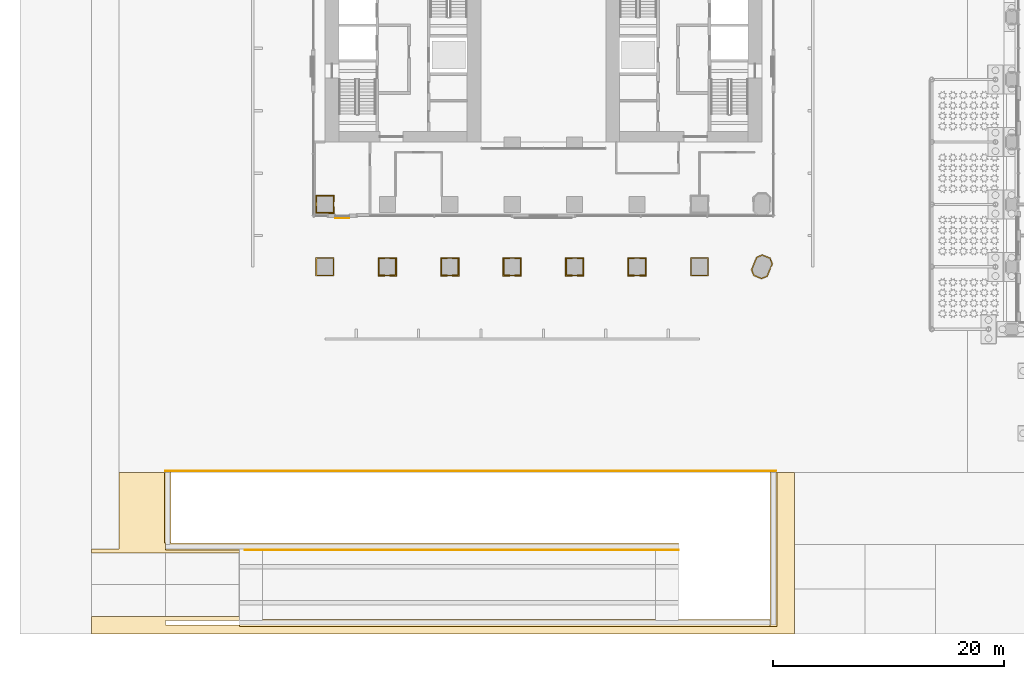
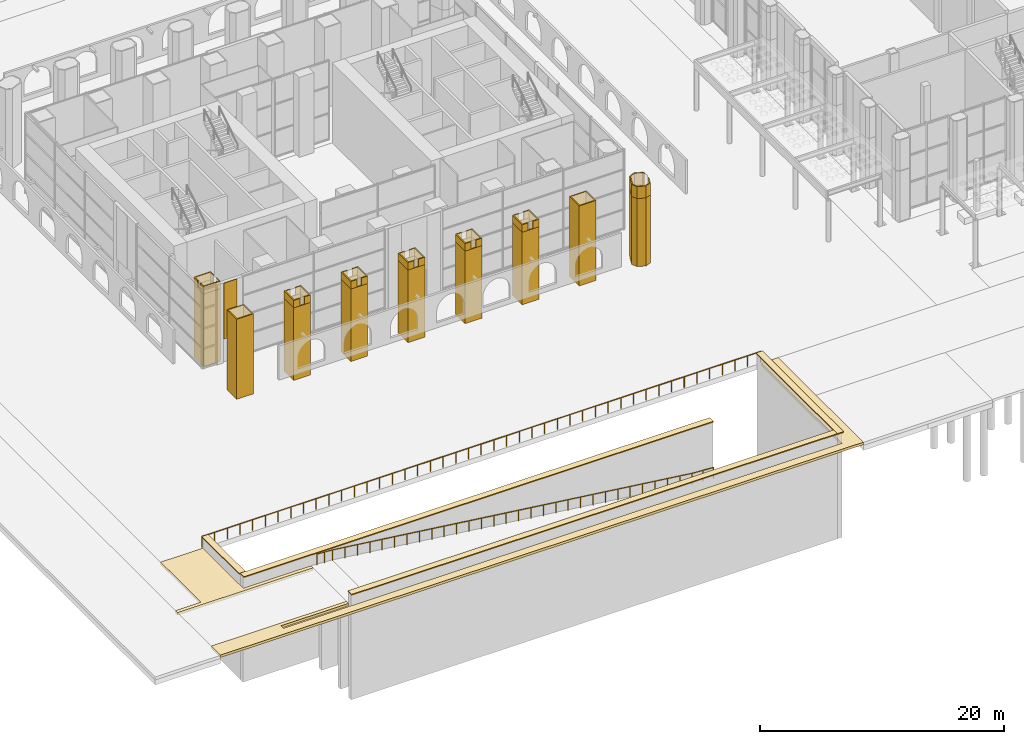
# One storey, part 41 of 54: 29 coverings, 2 railings.
"""IFC4 building model written with IfcOpenShell, lengths in metres."""

from ifc_helpers import new_model, si_unit, direction, frame, frame_2d, origin, origin_2d, place, context, subcontext, project, spatial, polyline, rectangle, circle, outline, extrude, material, layer, layer_set, type_object, element, save


model = new_model("IFC4")

# Units and contexts
model_context = context("Model", 3, precision=1e-05, world=origin(), true_north=direction((0.0, 1.0)))
body_context = subcontext(model_context, "Body", "Model", "MODEL_VIEW")
ifc_project = project(units=[si_unit("LENGTHUNIT", "METRE"), si_unit("AREAUNIT", "SQUARE_METRE"), si_unit("VOLUMEUNIT", "CUBIC_METRE"), si_unit("PLANEANGLEUNIT", "RADIAN"), si_unit("MASSUNIT", "GRAM", prefix="KILO")], contexts=[model_context])

# Site, building, storey
site_placement = place(None, origin())
site = spatial("IfcSite", under=ifc_project, at=site_placement, CompositionType="ELEMENT")
building_placement = place(site_placement, origin())
building = spatial("IfcBuilding", under=site, at=building_placement, Name="Tabaq Tower and Sports Hall", CompositionType="ELEMENT")
storey_placement = place(building_placement, origin())
storey = spatial("IfcBuildingStorey", under=building, at=storey_placement, Name="L00", CompositionType="ELEMENT", Elevation=0.0)

# Coverings
ifc_material_1 = material(Name="Precast concrete C60/75", Category="concrete")
ifc_layer_1 = layer(ifc_material_1, 0.10009765625)
ifc_layer_set_1 = layer_set([ifc_layer_1], Name="Column cladding 100")
covering_type_1 = type_object("IfcCoveringType", Name="Column cladding 100", PredefinedType="CLADDING", material=ifc_layer_set_1)
covering_1_placement = place(storey_placement, origin())
element("IfcCovering", 1, at=covering_1_placement, inside=storey, type_object=covering_type_1, Name="Column cladding L00 CC-2B-G", PredefinedType="CLADDING", context=body_context, shape_type="SweptSolid", body=[
    extrude(outline(polyline([(4.600341796875, 6.19970703125), (6.19970703125, 6.19970703125), (6.19970703125, 4.600341796875), (4.600341796875, 4.600341796875), (4.600341796875, 6.19970703125)]), holes=[polyline([(6.100341796875, 4.69970703125), (6.100341796875, 6.100341796875), (4.69970703125, 6.100341796875), (4.69970703125, 4.69970703125), (6.100341796875, 4.69970703125)])]), origin(), (0.0, 0.0, 1.0), 8.0),
])
covering_2_placement = place(storey_placement, origin())
element("IfcCovering", 2, at=covering_2_placement, inside=storey, type_object=covering_type_1, Name="Column cladding L00 CC-2C-G", PredefinedType="CLADDING", context=body_context, shape_type="SweptSolid", body=[
    extrude(outline(polyline([(4.600341796875, 11.599609375), (6.19970703125, 11.599609375), (6.19970703125, 10.000244140625), (4.600341796875, 10.000244140625), (4.600341796875, 11.599609375)]), holes=[polyline([(6.100341796875, 10.099609375), (6.100341796875, 11.500244140625), (4.69970703125, 11.500244140625), (4.69970703125, 10.099609375), (6.100341796875, 10.099609375)])]), origin(), (0.0, 0.0, 1.0), 7.25),
])
covering_3_placement = place(storey_placement, frame((0.0, 0.0, 7.25)))
element("IfcCovering", 3, at=covering_3_placement, inside=storey, type_object=covering_type_1, Name="Column cladding L00 CC-2C-G head", PredefinedType="CLADDING", context=body_context, shape_type="SweptSolid", body=[
    extrude(outline(polyline([(6.19970703125, 10.000244140625), (4.600341796875, 10.000244140625), (4.600341796875, 10.57470703125), (4.69970703125, 10.57470703125), (4.69970703125, 10.099609375), (6.100341796875, 10.099609375), (6.100341796875, 10.57470703125), (6.19970703125, 10.57470703125), (6.19970703125, 10.000244140625)])), origin(), (0.0, 0.0, 1.0), 0.75),
])
covering_4_placement = place(storey_placement, frame((0.0, 0.0, 7.25)))
element("IfcCovering", 4, at=covering_4_placement, inside=storey, type_object=covering_type_1, Name="Column cladding L00 CC-2C-G head 2", PredefinedType="CLADDING", context=body_context, shape_type="SweptSolid", body=[
    extrude(outline(polyline([(6.19970703125, 11.599609375), (6.19970703125, 11.025390625), (6.100341796875, 11.025390625), (6.100341796875, 11.500244140625), (4.69970703125, 11.500244140625), (4.69970703125, 11.025390625), (4.600341796875, 11.025390625), (4.600341796875, 11.599609375), (6.19970703125, 11.599609375)])), origin(), (0.0, 0.0, 1.0), 0.75),
])
covering_5_placement = place(storey_placement, origin())
element("IfcCovering", 5, at=covering_5_placement, inside=storey, type_object=covering_type_1, Name="Column cladding L00 CC-3B-G", PredefinedType="CLADDING", context=body_context, shape_type="SweptSolid", body=[
    extrude(outline(polyline([(10.000244140625, 6.19970703125), (11.599609375, 6.19970703125), (11.599609375, 4.600341796875), (10.000244140625, 4.600341796875), (10.000244140625, 6.19970703125)]), holes=[polyline([(11.500244140625, 4.69970703125), (11.500244140625, 6.100341796875), (10.099609375, 6.100341796875), (10.099609375, 4.69970703125), (11.500244140625, 4.69970703125)])]), origin(), (0.0, 0.0, 1.0), 7.25),
])
covering_6_placement = place(storey_placement, frame((0.0, 0.0, 7.25)))
element("IfcCovering", 6, at=covering_6_placement, inside=storey, type_object=covering_type_1, Name="Column cladding L00 CC-3B-G head", PredefinedType="CLADDING", context=body_context, shape_type="SweptSolid", body=[
    extrude(outline(polyline([(11.599609375, 6.19970703125), (11.599609375, 4.600341796875), (11.025390625, 4.600341796875), (11.025390625, 4.69970703125), (11.500244140625, 4.69970703125), (11.500244140625, 6.100341796875), (11.025390625, 6.100341796875), (11.025390625, 6.19970703125), (11.599609375, 6.19970703125)])), origin(), (0.0, 0.0, 1.0), 0.75),
])
covering_7_placement = place(storey_placement, frame((0.0, 0.0, 7.25)))
element("IfcCovering", 7, at=covering_7_placement, inside=storey, type_object=covering_type_1, Name="Column cladding L00 CC-3B-G head 2", PredefinedType="CLADDING", context=body_context, shape_type="SweptSolid", body=[
    extrude(outline(polyline([(10.57470703125, 6.19970703125), (10.57470703125, 6.100341796875), (10.099609375, 6.100341796875), (10.099609375, 4.69970703125), (10.57470703125, 4.69970703125), (10.57470703125, 4.600341796875), (10.000244140625, 4.600341796875), (10.000244140625, 6.19970703125), (10.57470703125, 6.19970703125)])), origin(), (0.0, 0.0, 1.0), 0.75),
])
covering_8_placement = place(storey_placement, origin())
element("IfcCovering", 8, at=covering_8_placement, inside=storey, type_object=covering_type_1, Name="Column cladding L00 CC-4B-G", PredefinedType="CLADDING", context=body_context, shape_type="SweptSolid", body=[
    extrude(outline(polyline([(15.400390625, 6.19970703125), (16.999755859375, 6.19970703125), (16.999755859375, 4.600341796875), (15.400390625, 4.600341796875), (15.400390625, 6.19970703125)]), holes=[polyline([(16.900390625, 4.69970703125), (16.900390625, 6.100341796875), (15.499755859375, 6.100341796875), (15.499755859375, 4.69970703125), (16.900390625, 4.69970703125)])]), origin(), (0.0, 0.0, 1.0), 7.25),
])
covering_9_placement = place(storey_placement, frame((0.0, 0.0, 7.25)))
element("IfcCovering", 9, at=covering_9_placement, inside=storey, type_object=covering_type_1, Name="Column cladding L00 CC-4B-G head", PredefinedType="CLADDING", context=body_context, shape_type="SweptSolid", body=[
    extrude(outline(polyline([(16.999755859375, 6.19970703125), (16.999755859375, 4.600341796875), (16.42529296875, 4.600341796875), (16.42529296875, 4.69970703125), (16.900390625, 4.69970703125), (16.900390625, 6.100341796875), (16.42529296875, 6.100341796875), (16.42529296875, 6.19970703125), (16.999755859375, 6.19970703125)])), origin(), (0.0, 0.0, 1.0), 0.75),
])
covering_10_placement = place(storey_placement, frame((0.0, 0.0, 7.25)))
element("IfcCovering", 10, at=covering_10_placement, inside=storey, type_object=covering_type_1, Name="Column cladding L00 CC-4B-G head 2", PredefinedType="CLADDING", context=body_context, shape_type="SweptSolid", body=[
    extrude(outline(polyline([(15.974609375, 6.19970703125), (15.974609375, 6.100341796875), (15.499755859375, 6.100341796875), (15.499755859375, 4.69970703125), (15.974609375, 4.69970703125), (15.974609375, 4.600341796875), (15.400390625, 4.600341796875), (15.400390625, 6.19970703125), (15.974609375, 6.19970703125)])), origin(), (0.0, 0.0, 1.0), 0.75),
])
covering_11_placement = place(storey_placement, origin())
element("IfcCovering", 11, at=covering_11_placement, inside=storey, type_object=covering_type_1, Name="Column cladding L00 CC-5B-G", PredefinedType="CLADDING", context=body_context, shape_type="SweptSolid", body=[
    extrude(outline(polyline([(20.80029296875, 6.19970703125), (22.399658203125, 6.19970703125), (22.399658203125, 4.600341796875), (20.80029296875, 4.600341796875), (20.80029296875, 6.19970703125)]), holes=[polyline([(22.30029296875, 4.69970703125), (22.30029296875, 6.100341796875), (20.899658203125, 6.100341796875), (20.899658203125, 4.69970703125), (22.30029296875, 4.69970703125)])]), origin(), (0.0, 0.0, 1.0), 7.25),
])
covering_12_placement = place(storey_placement, frame((0.0, 0.0, 7.25)))
element("IfcCovering", 12, at=covering_12_placement, inside=storey, type_object=covering_type_1, Name="Column cladding L00 CC-5B-G head", PredefinedType="CLADDING", context=body_context, shape_type="SweptSolid", body=[
    extrude(outline(polyline([(22.399658203125, 6.19970703125), (22.399658203125, 4.600341796875), (21.8251953125, 4.600341796875), (21.8251953125, 4.69970703125), (22.30029296875, 4.69970703125), (22.30029296875, 6.100341796875), (21.8251953125, 6.100341796875), (21.8251953125, 6.19970703125), (22.399658203125, 6.19970703125)])), origin(), (0.0, 0.0, 1.0), 0.75),
])
covering_13_placement = place(storey_placement, frame((0.0, 0.0, 7.25)))
element("IfcCovering", 13, at=covering_13_placement, inside=storey, type_object=covering_type_1, Name="Column cladding L00 CC-5B-G head 2", PredefinedType="CLADDING", context=body_context, shape_type="SweptSolid", body=[
    extrude(outline(polyline([(21.374755859375, 6.19970703125), (21.374755859375, 6.100341796875), (20.899658203125, 6.100341796875), (20.899658203125, 4.69970703125), (21.374755859375, 4.69970703125), (21.374755859375, 4.600341796875), (20.80029296875, 4.600341796875), (20.80029296875, 6.19970703125), (21.374755859375, 6.19970703125)])), origin(), (0.0, 0.0, 1.0), 0.75),
])
covering_14_placement = place(storey_placement, origin())
element("IfcCovering", 14, at=covering_14_placement, inside=storey, type_object=covering_type_1, Name="Column cladding L00 CC-6B-G", PredefinedType="CLADDING", context=body_context, shape_type="SweptSolid", body=[
    extrude(outline(polyline([(26.2001953125, 6.19970703125), (27.7998046875, 6.19970703125), (27.7998046875, 4.600341796875), (26.2001953125, 4.600341796875), (26.2001953125, 6.19970703125)]), holes=[polyline([(27.7001953125, 4.69970703125), (27.7001953125, 6.100341796875), (26.2998046875, 6.100341796875), (26.2998046875, 4.69970703125), (27.7001953125, 4.69970703125)])]), origin(), (0.0, 0.0, 1.0), 7.25),
])
covering_15_placement = place(storey_placement, frame((0.0, 0.0, 7.25)))
element("IfcCovering", 15, at=covering_15_placement, inside=storey, type_object=covering_type_1, Name="Column cladding L00 CC-6B-G head", PredefinedType="CLADDING", context=body_context, shape_type="SweptSolid", body=[
    extrude(outline(polyline([(27.7998046875, 6.19970703125), (27.7998046875, 4.600341796875), (27.225341796875, 4.600341796875), (27.225341796875, 4.69970703125), (27.7001953125, 4.69970703125), (27.7001953125, 6.100341796875), (27.225341796875, 6.100341796875), (27.225341796875, 6.19970703125), (27.7998046875, 6.19970703125)])), origin(), (0.0, 0.0, 1.0), 0.75),
])
covering_16_placement = place(storey_placement, frame((0.0, 0.0, 7.25)))
element("IfcCovering", 16, at=covering_16_placement, inside=storey, type_object=covering_type_1, Name="Column cladding L00 CC-6B-G head 2", PredefinedType="CLADDING", context=body_context, shape_type="SweptSolid", body=[
    extrude(outline(polyline([(26.774658203125, 6.19970703125), (26.774658203125, 6.100341796875), (26.2998046875, 6.100341796875), (26.2998046875, 4.69970703125), (26.774658203125, 4.69970703125), (26.774658203125, 4.600341796875), (26.2001953125, 4.600341796875), (26.2001953125, 6.19970703125), (26.774658203125, 6.19970703125)])), origin(), (0.0, 0.0, 1.0), 0.75),
])
covering_17_placement = place(storey_placement, origin())
element("IfcCovering", 17, at=covering_17_placement, inside=storey, type_object=covering_type_1, Name="Column cladding L00 CC-7B-G", PredefinedType="CLADDING", context=body_context, shape_type="SweptSolid", body=[
    extrude(outline(polyline([(31.600341796875, 6.19970703125), (33.19970703125, 6.19970703125), (33.19970703125, 4.600341796875), (31.600341796875, 4.600341796875), (31.600341796875, 6.19970703125)]), holes=[polyline([(33.100341796875, 4.69970703125), (33.100341796875, 6.100341796875), (31.69970703125, 6.100341796875), (31.69970703125, 4.69970703125), (33.100341796875, 4.69970703125)])]), origin(), (0.0, 0.0, 1.0), 7.25),
])
covering_18_placement = place(storey_placement, frame((0.0, 0.0, 7.25)))
element("IfcCovering", 18, at=covering_18_placement, inside=storey, type_object=covering_type_1, Name="Column cladding L00 CC-7B-G head", PredefinedType="CLADDING", context=body_context, shape_type="SweptSolid", body=[
    extrude(outline(polyline([(33.19970703125, 6.19970703125), (33.19970703125, 4.600341796875), (32.625244140625, 4.600341796875), (32.625244140625, 4.69970703125), (33.100341796875, 4.69970703125), (33.100341796875, 6.100341796875), (32.625244140625, 6.100341796875), (32.625244140625, 6.19970703125), (33.19970703125, 6.19970703125)])), origin(), (0.0, 0.0, 1.0), 0.75),
])
covering_19_placement = place(storey_placement, frame((0.0, 0.0, 7.25)))
element("IfcCovering", 19, at=covering_19_placement, inside=storey, type_object=covering_type_1, Name="Column cladding L00 CC-7B-G head 2", PredefinedType="CLADDING", context=body_context, shape_type="SweptSolid", body=[
    extrude(outline(polyline([(32.1748046875, 6.19970703125), (32.1748046875, 6.100341796875), (31.69970703125, 6.100341796875), (31.69970703125, 4.69970703125), (32.1748046875, 4.69970703125), (32.1748046875, 4.600341796875), (31.600341796875, 4.600341796875), (31.600341796875, 6.19970703125), (32.1748046875, 6.19970703125)])), origin(), (0.0, 0.0, 1.0), 0.75),
])
covering_20_placement = place(storey_placement, origin())
element("IfcCovering", 20, at=covering_20_placement, inside=storey, type_object=covering_type_1, Name="Column cladding L00 CC-8B-G", PredefinedType="CLADDING", context=body_context, shape_type="SweptSolid", body=[
    extrude(outline(polyline([(37.000244140625, 6.19970703125), (38.599609375, 6.19970703125), (38.599609375, 4.600341796875), (37.000244140625, 4.600341796875), (37.000244140625, 6.19970703125)]), holes=[polyline([(38.500244140625, 4.69970703125), (38.500244140625, 6.100341796875), (37.099609375, 6.100341796875), (37.099609375, 4.69970703125), (38.500244140625, 4.69970703125)])]), origin(), (0.0, 0.0, 1.0), 8.0),
])
covering_21_placement = place(storey_placement, origin())
element("IfcCovering", 21, at=covering_21_placement, inside=storey, type_object=covering_type_1, Name="Column cladding L00 PC-9B-G", PredefinedType="CLADDING", context=body_context, shape_type="SweptSolid", body=[
    extrude(outline(polyline([(42.467529296875, 4.621337890625), (42.253173828125, 5.138671875), (42.71533203125, 6.25439453125), (43.232666015625, 6.468505859375), (43.9326171875, 6.1787109375), (44.146728515625, 5.661376953125), (44.03857421875, 5.400390625), (43.940185546875, 5.400390625), (43.940185546875, 5.249755859375), (43.975830078125, 5.24853515625), (43.6845703125, 4.545654296875), (43.16748046875, 4.33154296875), (42.467529296875, 4.621337890625)]), holes=[polyline([(43.8564453125, 6.1025390625), (43.232666015625, 6.361083984375), (42.79150390625, 6.17822265625), (42.36083984375, 5.138671875), (42.54345703125, 4.697509765625), (43.16748046875, 4.43896484375), (43.608642578125, 4.621826171875), (44.039306640625, 5.661376953125), (43.8564453125, 6.1025390625)])]), origin(), (0.0, 0.0, 1.0), 6.800048828125),
])
covering_22_placement = place(storey_placement, frame((0.0, 0.0, 6.800048828125)))
element("IfcCovering", 22, at=covering_22_placement, inside=storey, type_object=covering_type_1, Name="Column cladding L00 PC-9B-G head", PredefinedType="CLADDING", context=body_context, shape_type="SweptSolid", body=[
    extrude(outline(polyline([(42.253173828125, 5.138671875), (42.71533203125, 6.25439453125), (43.232666015625, 6.468505859375), (43.9326171875, 6.1787109375), (44.00634765625, 6.000244140625), (43.89892578125, 6.000244140625), (43.8564453125, 6.1025390625), (43.232666015625, 6.361083984375), (42.79150390625, 6.17822265625), (42.36083984375, 5.138671875), (42.54345703125, 4.697509765625), (43.16748046875, 4.43896484375), (43.608642578125, 4.621826171875), (43.930908203125, 5.399658203125), (43.940185546875, 5.399658203125), (43.940185546875, 5.249755859375), (43.975830078125, 5.24853515625), (43.6845703125, 4.545654296875), (43.16748046875, 4.33154296875), (42.467529296875, 4.621337890625), (42.253173828125, 5.138671875)])), origin(), (0.0, 0.0, 1.0), 1.199951171875),
])

# Railings
ifc_material_2 = material(Name="Guard 1100")
railing_type = type_object("IfcRailingType", Name="Guard 1100", PredefinedType="GUARDRAIL", material=ifc_material_2)
railing_1_placement = place(storey_placement, frame((-1.5, -19.10009765625, -0.03125)))
element("IfcRailing", 23, at=railing_1_placement, inside=storey, type_object=railing_type, Name="Car Ramp R1 Guard", PredefinedType="GUARDRAIL", context=body_context, shape_type="SweptSolid", body=[
    extrude(circle(Radius=0.02392578125, at=origin_2d()), frame((0.0, 0.0, 1.076171875), z_axis=(0.998052578483, 0.0, -0.062378286155), x_axis=(0.0, 1.0, 0.0)), (0.0, 0.0, 1.0), 1.5029296875),
    extrude(circle(Radius=0.02392578125, at=origin_2d()), frame((1.5, 0.0, 0.982421875), z_axis=(0.992277876714, 0.0, -0.124034734589), x_axis=(0.0, 1.0, 0.0)), (0.0, 0.0, 1.0), 34.2646484375),
    extrude(circle(Radius=0.02392578125, at=origin_2d()), frame((35.5, 0.0, -3.267578125), z_axis=(0.998052578483, 0.0, -0.062378286155), x_axis=(0.0, 1.0, 0.0)), (0.0, 0.0, 1.0), 2.00390625),
    extrude(circle(Radius=0.02099609375, at=origin_2d()), origin(), (0.0, 0.0, 1.0), 1.052001953125),
    extrude(circle(Radius=0.02099609375, at=origin_2d()), frame((0.75, 0.0, -0.046875)), (0.0, 0.0, 1.0), 1.052001953125),
    extrude(circle(Radius=0.02099609375, at=origin_2d()), frame((1.5, 0.0, -0.09375)), (0.0, 0.0, 1.0), 1.052001953125),
    extrude(circle(Radius=0.02099609375, at=origin_2d()), frame((2.67236328125, 0.0, -0.240234375)), (0.0, 0.0, 1.0), 1.052001953125),
    extrude(circle(Radius=0.02099609375, at=origin_2d()), frame((3.8447265625, 0.0, -0.386962890625)), (0.0, 0.0, 1.0), 1.052001953125),
    extrude(circle(Radius=0.02099609375, at=origin_2d()), frame((5.017333984375, 0.0, -0.533447265625)), (0.0, 0.0, 1.0), 1.052001953125),
    extrude(circle(Radius=0.02099609375, at=origin_2d()), frame((6.189697265625, 0.0, -0.679931640625)), (0.0, 0.0, 1.0), 1.052001953125),
    extrude(circle(Radius=0.02099609375, at=origin_2d()), frame((7.362060546875, 0.0, -0.826416015625)), (0.0, 0.0, 1.0), 1.052001953125),
    extrude(circle(Radius=0.02099609375, at=origin_2d()), frame((8.534423828125, 0.0, -0.97314453125)), (0.0, 0.0, 1.0), 1.052001953125),
    extrude(circle(Radius=0.02099609375, at=origin_2d()), frame((9.706787109375, 0.0, -1.11962890625)), (0.0, 0.0, 1.0), 1.052001953125),
    extrude(circle(Radius=0.02099609375, at=origin_2d()), frame((10.87939453125, 0.0, -1.26611328125)), (0.0, 0.0, 1.0), 1.052001953125),
    extrude(circle(Radius=0.02099609375, at=origin_2d()), frame((12.0517578125, 0.0, -1.41259765625)), (0.0, 0.0, 1.0), 1.052001953125),
    extrude(circle(Radius=0.02099609375, at=origin_2d()), frame((13.22412109375, 0.0, -1.559326171875)), (0.0, 0.0, 1.0), 1.052001953125),
    extrude(circle(Radius=0.02099609375, at=origin_2d()), frame((14.396484375, 0.0, -1.705810546875)), (0.0, 0.0, 1.0), 1.052001953125),
    extrude(circle(Radius=0.02099609375, at=origin_2d()), frame((15.56884765625, 0.0, -1.852294921875)), (0.0, 0.0, 1.0), 1.052001953125),
    extrude(circle(Radius=0.02099609375, at=origin_2d()), frame((16.741455078125, 0.0, -1.9990234375)), (0.0, 0.0, 1.0), 1.052001953125),
    extrude(circle(Radius=0.02099609375, at=origin_2d()), frame((17.913818359375, 0.0, -2.1455078125)), (0.0, 0.0, 1.0), 1.052001953125),
    extrude(circle(Radius=0.02099609375, at=origin_2d()), frame((19.086181640625, 0.0, -2.2919921875)), (0.0, 0.0, 1.0), 1.052001953125),
    extrude(circle(Radius=0.02099609375, at=origin_2d()), frame((20.258544921875, 0.0, -2.4384765625)), (0.0, 0.0, 1.0), 1.052001953125),
    extrude(circle(Radius=0.02099609375, at=origin_2d()), frame((21.43115234375, 0.0, -2.585205078125)), (0.0, 0.0, 1.0), 1.052001953125),
    extrude(circle(Radius=0.02099609375, at=origin_2d()), frame((22.603515625, 0.0, -2.731689453125)), (0.0, 0.0, 1.0), 1.052001953125),
    extrude(circle(Radius=0.02099609375, at=origin_2d()), frame((23.77587890625, 0.0, -2.878173828125)), (0.0, 0.0, 1.0), 1.052001953125),
    extrude(circle(Radius=0.02099609375, at=origin_2d()), frame((24.9482421875, 0.0, -3.02490234375)), (0.0, 0.0, 1.0), 1.052001953125),
    extrude(circle(Radius=0.02099609375, at=origin_2d()), frame((26.12060546875, 0.0, -3.17138671875)), (0.0, 0.0, 1.0), 1.052001953125),
    extrude(circle(Radius=0.02099609375, at=origin_2d()), frame((27.293212890625, 0.0, -3.31787109375)), (0.0, 0.0, 1.0), 1.052001953125),
    extrude(circle(Radius=0.02099609375, at=origin_2d()), frame((28.465576171875, 0.0, -3.46435546875)), (0.0, 0.0, 1.0), 1.052001953125),
    extrude(circle(Radius=0.02099609375, at=origin_2d()), frame((29.637939453125, 0.0, -3.611083984375)), (0.0, 0.0, 1.0), 1.052001953125),
    extrude(circle(Radius=0.02099609375, at=origin_2d()), frame((30.810302734375, 0.0, -3.757568359375)), (0.0, 0.0, 1.0), 1.052001953125),
    extrude(circle(Radius=0.02099609375, at=origin_2d()), frame((31.982666015625, 0.0, -3.904052734375)), (0.0, 0.0, 1.0), 1.052001953125),
    extrude(circle(Radius=0.02099609375, at=origin_2d()), frame((33.1552734375, 0.0, -4.050537109375)), (0.0, 0.0, 1.0), 1.052001953125),
    extrude(circle(Radius=0.02099609375, at=origin_2d()), frame((34.32763671875, 0.0, -4.197265625)), (0.0, 0.0, 1.0), 1.052001953125),
    extrude(circle(Radius=0.02099609375, at=origin_2d()), frame((35.5, 0.0, -4.34375)), (0.0, 0.0, 1.0), 1.052001953125),
    extrude(circle(Radius=0.02099609375, at=origin_2d()), frame((36.5, 0.0, -4.40625)), (0.0, 0.0, 1.0), 1.052001953125),
    extrude(circle(Radius=0.02099609375, at=origin_2d()), frame((37.5, 0.0, -4.46875)), (0.0, 0.0, 1.0), 1.052001953125),
])
railing_2_placement = place(storey_placement, frame((-8.39990234375, -12.25, 0.0)))
element("IfcRailing", 24, at=railing_2_placement, inside=storey, type_object=railing_type, Name="Ramp Trench Guard North", PredefinedType="GUARDRAIL", context=body_context, shape_type="SweptSolid", body=[
    extrude(circle(Radius=0.02392578125, at=origin_2d()), frame((0.0, 0.0, 1.076171875), z_axis=(1.0, 0.0, 0.0), x_axis=(0.0, 1.0, 0.0)), (0.0, 0.0, 1.0), 52.7998046875),
    extrude(circle(Radius=0.02099609375, at=origin_2d()), origin(), (0.0, 0.0, 1.0), 1.052001953125),
    extrude(circle(Radius=0.02099609375, at=origin_2d()), frame((1.199951171875, 0.0, 0.0)), (0.0, 0.0, 1.0), 1.052001953125),
    extrude(circle(Radius=0.02099609375, at=origin_2d()), frame((2.39990234375, 0.0, 0.0)), (0.0, 0.0, 1.0), 1.052001953125),
    extrude(circle(Radius=0.02099609375, at=origin_2d()), frame((3.60009765625, 0.0, 0.0)), (0.0, 0.0, 1.0), 1.052001953125),
    extrude(circle(Radius=0.02099609375, at=origin_2d()), frame((4.800048828125, 0.0, 0.0)), (0.0, 0.0, 1.0), 1.052001953125),
    extrude(circle(Radius=0.02099609375, at=origin_2d()), frame((6.0, 0.0, 0.0)), (0.0, 0.0, 1.0), 1.052001953125),
    extrude(circle(Radius=0.02099609375, at=origin_2d()), frame((7.199951171875, 0.0, 0.0)), (0.0, 0.0, 1.0), 1.052001953125),
    extrude(circle(Radius=0.02099609375, at=origin_2d()), frame((8.39990234375, 0.0, 0.0)), (0.0, 0.0, 1.0), 1.052001953125),
    extrude(circle(Radius=0.02099609375, at=origin_2d()), frame((9.599853515625, 0.0, 0.0)), (0.0, 0.0, 1.0), 1.052001953125),
    extrude(circle(Radius=0.02099609375, at=origin_2d()), frame((10.800048828125, 0.0, 0.0)), (0.0, 0.0, 1.0), 1.052001953125),
    extrude(circle(Radius=0.02099609375, at=origin_2d()), frame((12.0, 0.0, 0.0)), (0.0, 0.0, 1.0), 1.052001953125),
    extrude(circle(Radius=0.02099609375, at=origin_2d()), frame((13.199951171875, 0.0, 0.0)), (0.0, 0.0, 1.0), 1.052001953125),
    extrude(circle(Radius=0.02099609375, at=origin_2d()), frame((14.39990234375, 0.0, 0.0)), (0.0, 0.0, 1.0), 1.052001953125),
    extrude(circle(Radius=0.02099609375, at=origin_2d()), frame((15.599853515625, 0.0, 0.0)), (0.0, 0.0, 1.0), 1.052001953125),
    extrude(circle(Radius=0.02099609375, at=origin_2d()), frame((16.800048828125, 0.0, 0.0)), (0.0, 0.0, 1.0), 1.052001953125),
    extrude(circle(Radius=0.02099609375, at=origin_2d()), frame((18.0, 0.0, 0.0)), (0.0, 0.0, 1.0), 1.052001953125),
    extrude(circle(Radius=0.02099609375, at=origin_2d()), frame((19.199951171875, 0.0, 0.0)), (0.0, 0.0, 1.0), 1.052001953125),
    extrude(circle(Radius=0.02099609375, at=origin_2d()), frame((20.39990234375, 0.0, 0.0)), (0.0, 0.0, 1.0), 1.052001953125),
    extrude(circle(Radius=0.02099609375, at=origin_2d()), frame((21.599853515625, 0.0, 0.0)), (0.0, 0.0, 1.0), 1.052001953125),
    extrude(circle(Radius=0.02099609375, at=origin_2d()), frame((22.7998046875, 0.0, 0.0)), (0.0, 0.0, 1.0), 1.052001953125),
    extrude(circle(Radius=0.02099609375, at=origin_2d()), frame((24.0, 0.0, 0.0)), (0.0, 0.0, 1.0), 1.052001953125),
    extrude(circle(Radius=0.02099609375, at=origin_2d()), frame((25.199951171875, 0.0, 0.0)), (0.0, 0.0, 1.0), 1.052001953125),
    extrude(circle(Radius=0.02099609375, at=origin_2d()), frame((26.39990234375, 0.0, 0.0)), (0.0, 0.0, 1.0), 1.052001953125),
    extrude(circle(Radius=0.02099609375, at=origin_2d()), frame((27.599853515625, 0.0, 0.0)), (0.0, 0.0, 1.0), 1.052001953125),
    extrude(circle(Radius=0.02099609375, at=origin_2d()), frame((28.7998046875, 0.0, 0.0)), (0.0, 0.0, 1.0), 1.052001953125),
    extrude(circle(Radius=0.02099609375, at=origin_2d()), frame((30.0, 0.0, 0.0)), (0.0, 0.0, 1.0), 1.052001953125),
    extrude(circle(Radius=0.02099609375, at=origin_2d()), frame((31.199951171875, 0.0, 0.0)), (0.0, 0.0, 1.0), 1.052001953125),
    extrude(circle(Radius=0.02099609375, at=origin_2d()), frame((32.39990234375, 0.0, 0.0)), (0.0, 0.0, 1.0), 1.052001953125),
    extrude(circle(Radius=0.02099609375, at=origin_2d()), frame((33.599853515625, 0.0, 0.0)), (0.0, 0.0, 1.0), 1.052001953125),
    extrude(circle(Radius=0.02099609375, at=origin_2d()), frame((34.7998046875, 0.0, 0.0)), (0.0, 0.0, 1.0), 1.052001953125),
    extrude(circle(Radius=0.02099609375, at=origin_2d()), frame((35.999755859375, 0.0, 0.0)), (0.0, 0.0, 1.0), 1.052001953125),
    extrude(circle(Radius=0.02099609375, at=origin_2d()), frame((37.199951171875, 0.0, 0.0)), (0.0, 0.0, 1.0), 1.052001953125),
    extrude(circle(Radius=0.02099609375, at=origin_2d()), frame((38.39990234375, 0.0, 0.0)), (0.0, 0.0, 1.0), 1.052001953125),
    extrude(circle(Radius=0.02099609375, at=origin_2d()), frame((39.599853515625, 0.0, 0.0)), (0.0, 0.0, 1.0), 1.052001953125),
    extrude(circle(Radius=0.02099609375, at=origin_2d()), frame((40.7998046875, 0.0, 0.0)), (0.0, 0.0, 1.0), 1.052001953125),
    extrude(circle(Radius=0.02099609375, at=origin_2d()), frame((41.999755859375, 0.0, 0.0)), (0.0, 0.0, 1.0), 1.052001953125),
    extrude(circle(Radius=0.02099609375, at=origin_2d()), frame((43.199951171875, 0.0, 0.0)), (0.0, 0.0, 1.0), 1.052001953125),
    extrude(circle(Radius=0.02099609375, at=origin_2d()), frame((44.39990234375, 0.0, 0.0)), (0.0, 0.0, 1.0), 1.052001953125),
    extrude(circle(Radius=0.02099609375, at=origin_2d()), frame((45.599853515625, 0.0, 0.0)), (0.0, 0.0, 1.0), 1.052001953125),
    extrude(circle(Radius=0.02099609375, at=origin_2d()), frame((46.7998046875, 0.0, 0.0)), (0.0, 0.0, 1.0), 1.052001953125),
    extrude(circle(Radius=0.02099609375, at=origin_2d()), frame((47.999755859375, 0.0, 0.0)), (0.0, 0.0, 1.0), 1.052001953125),
    extrude(circle(Radius=0.02099609375, at=origin_2d()), frame((49.19970703125, 0.0, 0.0)), (0.0, 0.0, 1.0), 1.052001953125),
    extrude(circle(Radius=0.02099609375, at=origin_2d()), frame((50.39990234375, 0.0, 0.0)), (0.0, 0.0, 1.0), 1.052001953125),
    extrude(circle(Radius=0.02099609375, at=origin_2d()), frame((51.599853515625, 0.0, 0.0)), (0.0, 0.0, 1.0), 1.052001953125),
    extrude(circle(Radius=0.02099609375, at=origin_2d()), frame((52.7998046875, 0.0, 0.0)), (0.0, 0.0, 1.0), 1.052001953125),
])

# Coverings
ifc_material_3 = material(Name="Planting soil topping on compacted limestone fill", Category="masonry")
ifc_layer_2 = layer(ifc_material_3, 0.25)
ifc_layer_set_2 = layer_set([ifc_layer_2], Name="PLANTED VERGE BED 250")
covering_type_2 = type_object("IfcCoveringType", Name="PLANTED VERGE BED 250", PredefinedType="USERDEFINED", material=ifc_layer_set_2)
covering_23_placement = place(storey_placement, frame((0.0, 0.0, -0.25)))
element("IfcCovering", 25, at=covering_23_placement, inside=storey, type_object=covering_type_2, Name="Planted verge", ObjectType="PLANTING BED", PredefinedType="USERDEFINED", context=body_context, shape_type="SweptSolid", body=[
    extrude(outline(polyline([(-14.800048828125, -24.85009765625), (-14.800048828125, -26.35009765625), (46.0, -26.35009765625), (46.0, -18.60009765625), (46.0, -12.39990234375), (44.39990234375, -12.39990234375), (44.39990234375, -25.60009765625), (-8.39990234375, -25.60009765625), (-8.39990234375, -25.199951171875), (-2.0, -25.199951171875), (-2.0, -24.85009765625), (-14.800048828125, -24.85009765625)])), origin(), (0.0, 0.0, 1.0), 0.25),
])
covering_24_placement = place(storey_placement, frame((0.0, 0.0, -0.25)))
element("IfcCovering", 26, at=covering_24_placement, inside=storey, type_object=covering_type_2, Name="Planted verge", ObjectType="PLANTING BED", PredefinedType="USERDEFINED", context=body_context, shape_type="SweptSolid", body=[
    extrude(outline(polyline([(-14.800048828125, -19.0), (-14.800048828125, -19.35009765625), (-2.0, -19.35009765625), (-2.0, -19.0), (-8.39990234375, -19.0), (-8.39990234375, -12.39990234375), (-12.39990234375, -12.39990234375), (-12.39990234375, -19.0), (-14.800048828125, -19.0)])), origin(), (0.0, 0.0, 1.0), 0.25),
])
ifc_material_4 = material(Name="White precast concrete C60/75", Category="concrete")
ifc_layer_3 = layer(ifc_material_4, 0.10009765625)
ifc_layer_set_3 = layer_set([ifc_layer_3], Name="RAMP TRENCH COPING 600x100")
covering_type_3 = type_object("IfcCoveringType", Name="RAMP TRENCH COPING 600x100", PredefinedType="USERDEFINED", material=ifc_layer_set_3)
covering_25_placement = place(storey_placement, frame((0.0, 0.0, 1.10009765625)))
element("IfcCovering", 27, at=covering_25_placement, inside=storey, type_object=covering_type_3, Name="Ramp trench coping 1", ObjectType="COPING", PredefinedType="USERDEFINED", context=body_context, shape_type="SweptSolid", body=[
    extrude(outline(polyline([(-2.0, -25.699951171875), (43.89990234375, -25.699951171875), (43.89990234375, -25.10009765625), (-2.0, -25.10009765625), (-2.0, -25.699951171875)])), origin(), (0.0, 0.0, 1.0), 0.099853515625),
])
covering_26_placement = place(storey_placement, frame((0.0, 0.0, 1.10009765625)))
element("IfcCovering", 28, at=covering_26_placement, inside=storey, type_object=covering_type_3, Name="Ramp trench coping 2", ObjectType="COPING", PredefinedType="USERDEFINED", context=body_context, shape_type="SweptSolid", body=[
    extrude(outline(polyline([(-8.39990234375, -19.10009765625), (36.0, -19.10009765625), (36.0, -18.5), (-8.39990234375, -18.5), (-8.39990234375, -19.10009765625)])), origin(), (0.0, 0.0, 1.0), 0.099853515625),
])
covering_27_placement = place(storey_placement, frame((0.0, 0.0, 1.10009765625)))
element("IfcCovering", 29, at=covering_27_placement, inside=storey, type_object=covering_type_3, Name="Ramp trench coping 3", ObjectType="COPING", PredefinedType="USERDEFINED", context=body_context, shape_type="SweptSolid", body=[
    extrude(outline(polyline([(43.89990234375, -25.699951171875), (44.5, -25.699951171875), (44.5, -12.39990234375), (43.89990234375, -12.39990234375), (43.89990234375, -25.699951171875)])), origin(), (0.0, 0.0, 1.0), 0.099853515625),
])
covering_28_placement = place(storey_placement, frame((0.0, 0.0, 1.10009765625)))
element("IfcCovering", 30, at=covering_28_placement, inside=storey, type_object=covering_type_3, Name="Ramp trench coping 4", ObjectType="COPING", PredefinedType="USERDEFINED", context=body_context, shape_type="SweptSolid", body=[
    extrude(outline(polyline([(-8.5, -18.5), (-7.89990234375, -18.5), (-7.89990234375, -12.39990234375), (-8.5, -12.39990234375), (-8.5, -18.5)])), origin(), (0.0, 0.0, 1.0), 0.099853515625),
])
ifc_material_5 = material(Name="Precast concrete C60/75", Category="concrete")
ifc_layer_4 = layer(ifc_material_5, 0.06005859375)
ifc_layer_set_4 = layer_set([ifc_layer_4], Name="White precast cladding panel 60 C60/75")
covering_type_4 = type_object("IfcCoveringType", Name="White precast cladding panel 60 C60/75", PredefinedType="CLADDING", material=ifc_layer_set_4)
covering_29_placement = place(storey_placement, frame((7.510009765625, 9.6201171875, 2.409912109375), z_axis=(0.0, 0.0, 1.0), x_axis=(-1.0, 0.0, 0.0)))
element("IfcCovering", 31, at=covering_29_placement, inside=storey, type_object=covering_type_4, Name="White precast cladding panel L00 ringS3", PredefinedType="CLADDING", context=body_context, shape_type="SweptSolid", body=[
    extrude(rectangle(XDim=1.219970703125, YDim=0.06005859375, at=frame_2d((0.60986328125, 0.0))), origin(), (0.0, 0.0, 1.0), 5.590087890625),
])

save(model, "model.ifc")
